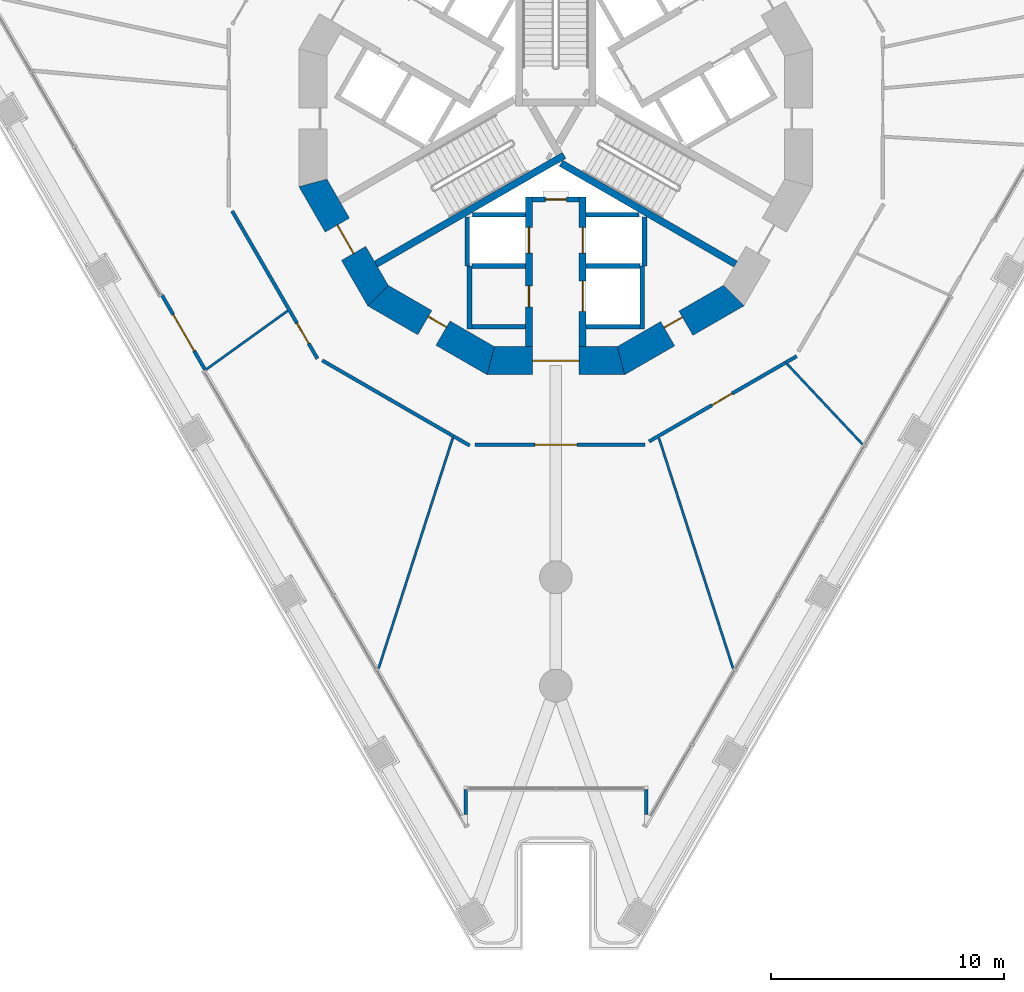
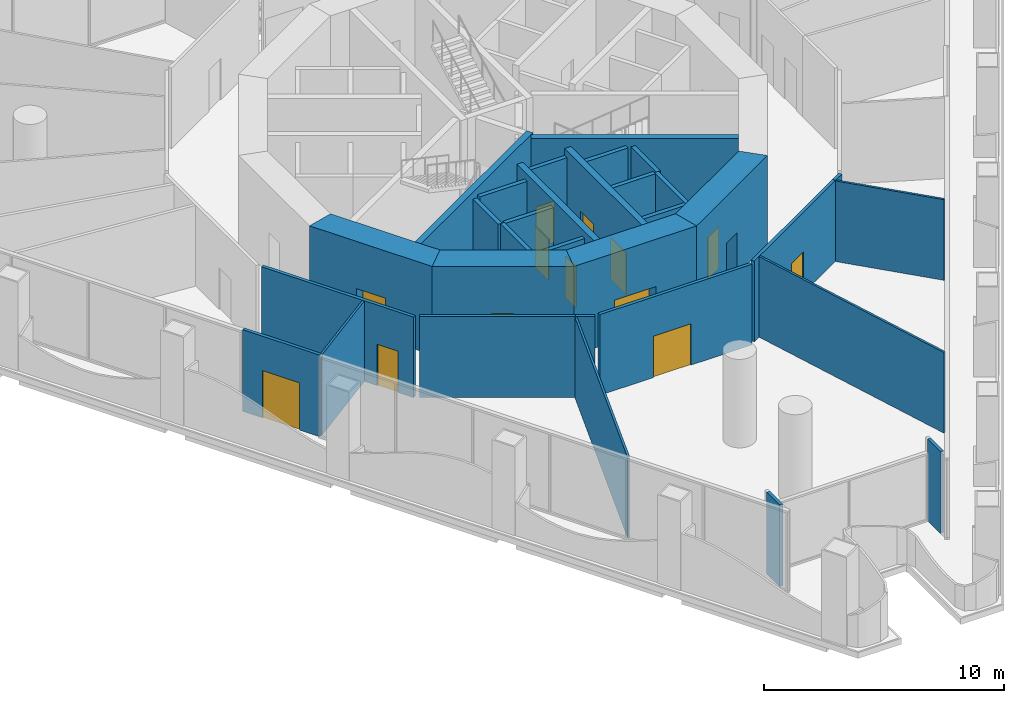
# One storey, part 10 of 21: 32 walls, 13 doors, 13 openings.
"""IFC4 building model written with IfcOpenShell, lengths in metres."""

from ifc_helpers import new_model, si_unit, direction, frame, frame_2d, origin, place, context, subcontext, project, spatial, polyline, rectangle, outline, extrude, material, layer, layer_set, type_object, element, fill, save


model = new_model("IFC4")

# Units and contexts
model_context = context("Model", 3, precision=1e-05, world=origin(), true_north=direction((0.0, 1.0)))
body_context = subcontext(model_context, "Body", "Model", "MODEL_VIEW")
ifc_project = project(units=[si_unit("LENGTHUNIT", "METRE"), si_unit("AREAUNIT", "SQUARE_METRE"), si_unit("VOLUMEUNIT", "CUBIC_METRE"), si_unit("PLANEANGLEUNIT", "RADIAN"), si_unit("MASSUNIT", "GRAM", prefix="KILO")], contexts=[model_context])

# Site, building, storey
site_placement = place(None, origin())
site = spatial("IfcSite", under=ifc_project, at=site_placement, CompositionType="ELEMENT")
building_placement = place(site_placement, origin())
building = spatial("IfcBuilding", under=site, at=building_placement, Name="Trine Commons Tower", CompositionType="ELEMENT")
storey_placement = place(building_placement, frame((0.0, 0.0, 13.5)))
storey = spatial("IfcBuildingStorey", under=building, at=storey_placement, Name="L02", CompositionType="ELEMENT", Elevation=13.5)

# Wall, opening, door
ifc_material_1 = material(Name="Plasterboard on steel stud", Category="steel")
ifc_layer_1 = layer(ifc_material_1, 0.14990234375)
ifc_layer_set_1 = layer_set([ifc_layer_1], Name="Plasterboard on steel stud")
wall_type_1 = type_object("IfcWallType", Name="Compartment wall 150 mm, EI 60", PredefinedType="PARTITIONING", material=ifc_layer_set_1)
wall_1_placement = place(storey_placement, frame((69.7802734375, 52.177978515625, 0.0), z_axis=(0.0, 0.0, 1.0), x_axis=(-0.500000231294, 0.866025270247, 0.0)))
wall_1 = element("IfcWall", 1, at=wall_1_placement, inside=storey, type_object=wall_type_1, Name="Partition P2008", PredefinedType="PARTITIONING", context=body_context, shape_type="SweptSolid", body=[
    extrude(rectangle(XDim=7.3037109375, YDim=0.14990234375, at=frame_2d((3.65185546875, 0.0))), origin(), (0.0, 0.0, 1.0), 4.10009765625),
])
opening_1_placement = place(wall_1_placement, frame((0.74755859375, 0.0, 0.0)))
opening_1 = element("IfcOpeningElement", 2, at=opening_1_placement, cuts=wall_1, Name="Opening D-P203", PredefinedType="OPENING", context=body_context, shape_type="SweptSolid", body=[
    extrude(rectangle(XDim=1.0, YDim=2.10009765625, at=frame_2d((0.5, 1.050048828125))), frame((0.0, 0.0849609375, 0.0), z_axis=(0.0, -1.0, 0.0), x_axis=(1.0, 0.0, 0.0)), (0.0, 0.0, 1.0), 0.169921875),
])
ifc_material_2 = material(Name="Timber fire door set", Category="wood")
door_type_1 = type_object("IfcDoorType", Name="Single swing door 1000x2100, FD30S", OperationType="SINGLE_SWING_LEFT", PredefinedType="DOOR", material=ifc_material_2)
door_1_placement = place(opening_1_placement, origin())
door_1 = element("IfcDoor", 3, at=door_1_placement, inside=storey, type_object=door_type_1, Name="Door D-P203", OperationType="SINGLE_SWING_LEFT", OverallHeight=2.10009765625, OverallWidth=1.0, PredefinedType="DOOR", context=body_context, shape_type="SweptSolid", body=[
    extrude(rectangle(XDim=1.0, YDim=2.10009765625, at=frame_2d((0.5, 1.050048828125))), frame((0.0, 0.02490234375, 0.0), z_axis=(0.0, -1.0, 0.0), x_axis=(1.0, 0.0, 0.0)), (0.0, 0.0, 1.0), 0.050048828125),
])
fill(opening_1, door_1)

# Walls
wall_2_placement = place(storey_placement, frame((69.9853515625, 52.102783203125, 0.0), z_axis=(0.0, 0.0, 1.0), x_axis=(0.866017774148, -0.500013214685, 0.0)))
element("IfcWall", 4, at=wall_2_placement, inside=storey, type_object=wall_type_1, Name="Partition P2010", PredefinedType="PARTITIONING", context=body_context, shape_type="SweptSolid", body=[
    extrude(rectangle(XDim=6.492919921875, YDim=0.14990234375, at=frame_2d((3.24658203125, 0.0))), origin(), (0.0, 0.0, 1.0), 4.10009765625),
])
wall_3_placement = place(storey_placement, frame((75.612548828125, 48.85400390625, 0.0), z_axis=(0.0, 0.0, 1.0), x_axis=(0.865978762919, -0.500080775649, 0.0)))
element("IfcWall", 5, at=wall_3_placement, inside=storey, type_object=wall_type_1, Name="Partition P2014", PredefinedType="PARTITIONING", context=body_context, shape_type="SweptSolid", body=[
    extrude(rectangle(XDim=0.805908203125, YDim=0.14990234375, at=frame_2d((0.40283203125, 0.0))), origin(), (0.0, 0.0, 1.0), 4.10009765625),
])

# Wall, opening, door
wall_4_placement = place(storey_placement, frame((76.525634765625, 48.488525390625, 0.0), z_axis=(0.0, 0.0, 1.0), x_axis=(1.0, 0.0, 0.0)))
wall_4 = element("IfcWall", 6, at=wall_4_placement, inside=storey, type_object=wall_type_1, Name="Partition P2015", PredefinedType="PARTITIONING", context=body_context, shape_type="SweptSolid", body=[
    extrude(rectangle(XDim=7.3037109375, YDim=0.14990234375, at=frame_2d((3.65185546875, 0.0))), origin(), (0.0, 0.0, 1.0), 4.10009765625),
])
opening_2_placement = place(wall_4_placement, frame((2.574462890625, 0.0, 0.0)))
opening_2 = element("IfcOpeningElement", 7, at=opening_2_placement, cuts=wall_4, Name="Opening D-P208", PredefinedType="OPENING", context=body_context, shape_type="SweptSolid", body=[
    extrude(rectangle(XDim=1.800048828125, YDim=2.10009765625, at=frame_2d((0.89990234375, 1.050048828125))), frame((0.0, 0.0849609375, 0.0), z_axis=(0.0, -1.0, 0.0), x_axis=(1.0, 0.0, 0.0)), (0.0, 0.0, 1.0), 0.169921875),
])
door_type_2 = type_object("IfcDoorType", Name="Double swing door 1800x2100, FD30S", OperationType="DOUBLE_DOOR_DOUBLE_SWING", PredefinedType="DOOR", material=ifc_material_2)
door_2_placement = place(opening_2_placement, origin())
door_2 = element("IfcDoor", 8, at=door_2_placement, inside=storey, type_object=door_type_2, Name="Door D-P208", OperationType="DOUBLE_DOOR_DOUBLE_SWING", OverallHeight=2.10009765625, OverallWidth=1.800048828125, PredefinedType="DOOR", context=body_context, shape_type="SweptSolid", body=[
    extrude(rectangle(XDim=1.800048828125, YDim=2.10009765625, at=frame_2d((0.89990234375, 1.050048828125))), frame((0.0, 0.02490234375, 0.0), z_axis=(0.0, -1.0, 0.0), x_axis=(1.0, 0.0, 0.0)), (0.0, 0.0, 1.0), 0.050048828125),
])
fill(opening_2, door_2)

wall_5_placement = place(storey_placement, frame((89.853759765625, 52.009765625, 0.0), z_axis=(0.0, 0.0, 1.0), x_axis=(-0.866035297817, -0.499982862641, 0.0)))
wall_5 = element("IfcWall", 9, at=wall_5_placement, inside=storey, type_object=wall_type_1, Name="Partition P2019", PredefinedType="PARTITIONING", context=body_context, shape_type="SweptSolid", body=[
    extrude(rectangle(XDim=6.762939453125, YDim=0.14990234375, at=frame_2d((3.38134765625, 0.0))), origin(), (0.0, 0.0, 1.0), 4.10009765625),
])
opening_3_placement = place(wall_5_placement, frame((2.653564453125, 0.0, 0.0)))
opening_3 = element("IfcOpeningElement", 10, at=opening_3_placement, cuts=wall_5, Name="Opening D-P211", PredefinedType="OPENING", context=body_context, shape_type="SweptSolid", body=[
    extrude(rectangle(XDim=1.0, YDim=2.10009765625, at=frame_2d((0.5, 1.050048828125))), frame((0.0, 0.0849609375, 0.0), z_axis=(0.0, -1.0, 0.0), x_axis=(1.0, 0.0, 0.0)), (0.0, 0.0, 1.0), 0.169921875),
])
door_3_placement = place(opening_3_placement, origin())
door_3 = element("IfcDoor", 11, at=door_3_placement, inside=storey, type_object=door_type_1, Name="Door D-P211", OperationType="SINGLE_SWING_LEFT", OverallHeight=2.10009765625, OverallWidth=1.0, PredefinedType="DOOR", context=body_context, shape_type="SweptSolid", body=[
    extrude(rectangle(XDim=1.0, YDim=2.10009765625, at=frame_2d((0.5, 1.050048828125))), frame((0.0, 0.02490234375, 0.0), z_axis=(0.0, -1.0, 0.0), x_axis=(1.0, 0.0, 0.0)), (0.0, 0.0, 1.0), 0.050048828125),
])
fill(opening_3, door_3)

# Wall
wall_6_placement = place(storey_placement, frame((89.857666015625, 52.01220703125, 0.0), z_axis=(0.0, 0.0, 1.0), x_axis=(0.866049104564, 0.499958946799, 0.0)))
element("IfcWall", 12, at=wall_6_placement, inside=storey, type_object=wall_type_1, Name="Partition P2023", PredefinedType="PARTITIONING", context=body_context, shape_type="SweptSolid", body=[
    extrude(rectangle(XDim=0.5361328125, YDim=0.14990234375, at=frame_2d((0.26806640625, 0.0))), origin(), (0.0, 0.0, 1.0), 4.10009765625),
])

# Wall, opening, door
ifc_material_3 = material(Name="Aluminium-framed insulated wall panel", Category="aluminium")
ifc_layer_2 = layer(ifc_material_3, 0.14990234375)
ifc_layer_set_2 = layer_set([ifc_layer_2], Name="Aluminium-framed insulated wall panel")
wall_type_2 = type_object("IfcWallType", Name="Glazed entrance wall 150, EI 60", PredefinedType="SOLIDWALL", material=ifc_layer_set_2)
wall_7_placement = place(storey_placement, frame((64.972900390625, 51.688232421875, 0.0), z_axis=(0.0, 0.0, 1.0), x_axis=(-0.499979560991, 0.86603720393, 0.0)))
wall_7 = element("IfcWall", 13, at=wall_7_placement, inside=storey, type_object=wall_type_2, Name="Glazed entrance wall L02 F3 7", PredefinedType="SOLIDWALL", context=body_context, shape_type="SweptSolid", body=[
    extrude(rectangle(XDim=3.698974609375, YDim=0.14990234375, at=frame_2d((1.849609375, 0.0))), origin(), (0.0, 0.0, 1.0), 4.14990234375),
])
opening_4_placement = place(wall_7_placement, frame((0.949462890625, 0.0, 0.0)))
opening_4 = element("IfcOpeningElement", 14, at=opening_4_placement, cuts=wall_7, Name="Opening SD-L02-F3-07", PredefinedType="OPENING", context=body_context, shape_type="SweptSolid", body=[
    extrude(rectangle(XDim=1.800048828125, YDim=2.39990234375, at=frame_2d((0.89990234375, 1.199951171875))), frame((0.0, 0.0849609375, 0.0), z_axis=(0.0, -1.0, 0.0), x_axis=(1.0, 0.0, 0.0)), (0.0, 0.0, 1.0), 0.169921875),
])
ifc_material_4 = material(Name="Anodised aluminium frame with double glazing", Category="aluminium")
door_type_3 = type_object("IfcDoorType", Name="Sliding double door 1800x2400", OperationType="DOUBLE_DOOR_SLIDING", PredefinedType="DOOR", material=ifc_material_4)
door_4_placement = place(opening_4_placement, origin())
door_4 = element("IfcDoor", 15, at=door_4_placement, inside=storey, type_object=door_type_3, Name="Loggia door L02 F3 7", OperationType="DOUBLE_DOOR_SLIDING", OverallHeight=2.39990234375, OverallWidth=1.800048828125, PredefinedType="DOOR", context=body_context, shape_type="SweptSolid", body=[
    extrude(rectangle(XDim=1.800048828125, YDim=2.39990234375, at=frame_2d((0.89990234375, 1.199951171875))), frame((0.0, 0.02490234375, 0.0), z_axis=(0.0, -1.0, 0.0), x_axis=(1.0, 0.0, 0.0)), (0.0, 0.0, 1.0), 0.050048828125),
])
fill(opening_4, door_4)

# Walls
ifc_layer_3 = layer(ifc_material_3, 0.14990234375)
ifc_layer_set_3 = layer_set([ifc_layer_3], Name="Aluminium-framed insulated wall panel")
wall_type_3 = type_object("IfcWallType", Name="Glazed frame wall 150, EI 60", PredefinedType="SOLIDWALL", material=ifc_layer_set_3)
wall_8_placement = place(storey_placement, frame((83.864990234375, 32.48583984375, 0.0), z_axis=(0.0, 0.0, 1.0), x_axis=(0.0, 1.0, 0.0)))
element("IfcWall", 16, at=wall_8_placement, inside=storey, type_object=wall_type_3, Name="Glazed frame wall L02 R9", PredefinedType="SOLIDWALL", context=body_context, shape_type="SweptSolid", body=[
    extrude(outline(polyline([(0.1494140625, 0.074951171875), (0.1494140625, -0.074951171875), (1.235107421875, -0.074951171875), (1.235107421875, 0.074951171875), (0.1494140625, 0.074951171875)])), origin(), (0.0, 0.0, 1.0), 4.14990234375),
])
wall_9_placement = place(storey_placement, frame((76.135009765625, 33.830810546875, 0.0), z_axis=(0.0, 0.0, 1.0), x_axis=(0.0, -1.0, 0.0)))
element("IfcWall", 17, at=wall_9_placement, inside=storey, type_object=wall_type_3, Name="Glazed frame wall L02 R11", PredefinedType="SOLIDWALL", context=body_context, shape_type="SweptSolid", body=[
    extrude(outline(polyline([(0.110107421875, 0.074951171875), (0.110107421875, -0.074951171875), (1.19580078125, -0.074951171875), (1.19580078125, 0.074951171875), (0.110107421875, 0.074951171875)])), origin(), (0.0, 0.0, 1.0), 4.14990234375),
])

# Wall, opening, door
ifc_material_5 = material(Name="Fire-rated gypsum shaft wall system")
ifc_layer_4 = layer(ifc_material_5, 0.199951171875)
ifc_layer_set_4 = layer_set([ifc_layer_4], Name="Fire-rated gypsum shaft wall system")
wall_type_4 = type_object("IfcWallType", Name="Lobby end wall 200 mm, EI 120", PredefinedType="PARTITIONING", material=ifc_layer_set_4)
wall_10_placement = place(storey_placement, frame((79.0, 59.0, 0.0), z_axis=(0.0, 0.0, 1.0), x_axis=(1.0, 0.0, 0.0)))
wall_10 = element("IfcWall", 18, at=wall_10_placement, inside=storey, type_object=wall_type_4, Name="Lobby end wall L02", PredefinedType="PARTITIONING", context=body_context, shape_type="SweptSolid", body=[
    extrude(rectangle(XDim=2.0, YDim=0.199951171875, at=frame_2d((1.0, 0.0))), origin(), (0.0, 0.0, 1.0), 4.14990234375),
])
opening_5_placement = place(wall_10_placement, frame((0.550048828125, 0.0, 0.0)))
opening_5 = element("IfcOpeningElement", 19, at=opening_5_placement, cuts=wall_10, Name="Opening K05.09", PredefinedType="OPENING", context=body_context, shape_type="SweptSolid", body=[
    extrude(rectangle(XDim=0.89990234375, YDim=2.10009765625, at=frame_2d((0.449951171875, 1.050048828125))), frame((0.0, 0.10986328125, 0.0), z_axis=(0.0, -1.0, 0.0), x_axis=(1.0, 0.0, 0.0)), (0.0, 0.0, 1.0), 0.219970703125),
])
ifc_material_6 = material(Name="Steel door leaf, fire-rated", Category="steel")
door_type_4 = type_object("IfcDoorType", Name="Riser access door, single leaf 900 x 2100, FD60", OperationType="SINGLE_SWING_LEFT", PredefinedType="DOOR", material=ifc_material_6)
door_5_placement = place(opening_5_placement, frame((0.89990234375, 0.0, 0.0), z_axis=(0.0, 0.0, 1.0), x_axis=(-1.0, 0.0, 0.0)))
door_5 = element("IfcDoor", 20, at=door_5_placement, inside=storey, type_object=door_type_4, Name="Riser door, Communications riser L02", OperationType="SINGLE_SWING_RIGHT", OverallHeight=2.10009765625, OverallWidth=0.89990234375, PredefinedType="DOOR", context=body_context, shape_type="SweptSolid", body=[
    extrude(rectangle(XDim=0.89990234375, YDim=2.10009765625, at=frame_2d((0.449951171875, 1.050048828125))), frame((0.0, 0.02490234375, 0.0), z_axis=(0.0, -1.0, 0.0), x_axis=(1.0, 0.0, 0.0)), (0.0, 0.0, 1.0), 0.050048828125),
])
fill(opening_5, door_5)

# Walls
ifc_layer_5 = layer(ifc_material_1, 0.10009765625)
ifc_layer_set_5 = layer_set([ifc_layer_5], Name="Plasterboard on steel stud")
wall_type_5 = type_object("IfcWallType", Name="Partition wall 100 mm stud, not rated", PredefinedType="PARTITIONING", material=ifc_layer_set_5)
wall_11_placement = place(storey_placement, frame((65.00341796875, 51.705810546875, 0.0), z_axis=(0.0, 0.0, 1.0), x_axis=(0.81161375716, 0.584194410439, 0.0)))
element("IfcWall", 21, at=wall_11_placement, inside=storey, type_object=wall_type_5, Name="Partition P2006", PredefinedType="PARTITIONING", context=body_context, shape_type="SweptSolid", body=[
    extrude(rectangle(XDim=4.314453125, YDim=0.10009765625, at=frame_2d((2.1572265625, 0.0))), origin(), (0.0, 0.0, 1.0), 4.10009765625),
])
wall_12_placement = place(storey_placement, frame((72.401123046875, 38.892578125, 0.0), z_axis=(0.0, 0.0, 1.0), x_axis=(0.306402777515, 0.951901958151, 0.0)))
element("IfcWall", 22, at=wall_12_placement, inside=storey, type_object=wall_type_5, Name="Partition P2012", PredefinedType="PARTITIONING", context=body_context, shape_type="SweptSolid", body=[
    extrude(rectangle(XDim=10.3798828125, YDim=0.10009765625, at=frame_2d((5.18994140625, 0.0))), origin(), (0.0, 0.0, 1.0), 4.10009765625),
])
wall_13_placement = place(storey_placement, frame((84.418701171875, 48.773193359375, 0.0), z_axis=(0.0, 0.0, 1.0), x_axis=(0.306409637805, -0.9518997499, 0.0)))
element("IfcWall", 23, at=wall_13_placement, inside=storey, type_object=wall_type_5, Name="Partition P2021", PredefinedType="PARTITIONING", context=body_context, shape_type="SweptSolid", body=[
    extrude(rectangle(XDim=10.379638671875, YDim=0.10009765625, at=frame_2d((5.18994140625, 0.0))), origin(), (0.0, 0.0, 1.0), 4.10009765625),
])
wall_14_placement = place(storey_placement, frame((89.914306640625, 51.945068359375, 0.0), z_axis=(0.0, 0.0, 1.0), x_axis=(0.684633850131, -0.72888715948, 0.0)))
element("IfcWall", 24, at=wall_14_placement, inside=storey, type_object=wall_type_5, Name="Partition P2024", PredefinedType="PARTITIONING", context=body_context, shape_type="SweptSolid", body=[
    extrude(rectangle(XDim=4.722412109375, YDim=0.10009765625, at=frame_2d((2.361328125, 0.0))), origin(), (0.0, 0.0, 1.0), 4.10009765625),
])

# Wall, opening, door
ifc_material_7 = material(Name="Concrete C80/95", Category="concrete")
ifc_layer_6 = layer(ifc_material_7, 1.199951171875)
ifc_layer_set_6 = layer_set([ifc_layer_6], Name="Concrete C80/95")
wall_type_6 = type_object("IfcWallType", Name="RC shear wall 1200 mm, C80/95", PredefinedType="SHEAR", material=ifc_layer_set_6)
wall_15_placement = place(storey_placement, frame((69.508056640625, 59.849609375, 0.0), z_axis=(0.0, 0.0, 1.0), x_axis=(0.499979111662, -0.866037463336, 0.0)))
wall_15 = element("IfcWall", 25, at=wall_15_placement, inside=storey, type_object=wall_type_6, Name="Core wall CWA-08 L02", PredefinedType="SHEAR", context=body_context, shape_type="SweptSolid", body=[
    extrude(outline(polyline([(0.0, -0.60009765625), (5.901123046875, -0.60009765625), (5.57958984375, 0.60009765625), (0.321533203125, 0.60009765625), (0.0, -0.60009765625)])), origin(), (0.0, 0.0, 1.0), 4.5),
])
opening_6_placement = place(wall_15_placement, frame((2.25048828125, 0.0, 0.0)))
opening_6 = element("IfcOpeningElement", 26, at=opening_6_placement, cuts=wall_15, Name="Opening K05.02", PredefinedType="OPENING", context=body_context, shape_type="SweptSolid", body=[
    extrude(rectangle(XDim=1.39990234375, YDim=2.10009765625, at=frame_2d((0.699951171875, 1.050048828125))), frame((0.0, 0.60986328125, 0.0), z_axis=(0.0, -1.0, 0.0), x_axis=(1.0, 0.0, 0.0)), (0.0, 0.0, 1.0), 1.219970703125),
])
ifc_material_8 = material(Name="Steel door leaves, fire-rated", Category="steel")
door_type_5 = type_object("IfcDoorType", Name="Stair door, double leaf 1400 x 2100, FD90", OperationType="DOUBLE_DOOR_SINGLE_SWING", PredefinedType="DOOR", material=ifc_material_8)
door_6_placement = place(opening_6_placement, origin())
door_6 = element("IfcDoor", 27, at=door_6_placement, inside=storey, type_object=door_type_5, Name="Stair door to Exit stair ST2A L02", OperationType="DOUBLE_DOOR_SINGLE_SWING", OverallHeight=2.10009765625, OverallWidth=1.39990234375, PredefinedType="DOOR", context=body_context, shape_type="SweptSolid", body=[
    extrude(rectangle(XDim=1.39990234375, YDim=2.10009765625, at=frame_2d((0.699951171875, 1.050048828125))), frame((0.0, 0.02490234375, 0.0), z_axis=(0.0, -1.0, 0.0), x_axis=(1.0, 0.0, 0.0)), (0.0, 0.0, 1.0), 0.050048828125),
])
fill(opening_6, door_6)

wall_16_placement = place(storey_placement, frame((72.239013671875, 54.95849609375, 0.0), z_axis=(0.0, 0.0, 1.0), x_axis=(0.866037463336, -0.499979111662, 0.0)))
wall_16 = element("IfcWall", 28, at=wall_16_placement, inside=storey, type_object=wall_type_6, Name="Core wall CWA-09 L02", PredefinedType="SHEAR", context=body_context, shape_type="SweptSolid", body=[
    extrude(outline(polyline([(0.0, -0.60009765625), (5.901123046875, -0.60009765625), (5.57958984375, 0.60009765625), (0.321533203125, 0.60009765625), (0.0, -0.60009765625)])), origin(), (0.0, 0.0, 1.0), 4.5),
])
opening_7_placement = place(wall_16_placement, frame((2.4765625, 0.0, 0.0)))
opening_7 = element("IfcOpeningElement", 29, at=opening_7_placement, cuts=wall_16, Name="Opening K05.14", PredefinedType="OPENING", context=body_context, shape_type="SweptSolid", body=[
    extrude(rectangle(XDim=0.89990234375, YDim=2.10009765625, at=frame_2d((0.449951171875, 1.050048828125))), frame((0.0, 0.60986328125, 0.0), z_axis=(0.0, -1.0, 0.0), x_axis=(1.0, 0.0, 0.0)), (0.0, 0.0, 1.0), 1.219970703125),
])
door_type_6 = type_object("IfcDoorType", Name="Core room door, single leaf 900 x 2100, FD30S", OperationType="SINGLE_SWING_LEFT", PredefinedType="DOOR", material=ifc_material_6)
door_7_placement = place(opening_7_placement, origin())
door_7 = element("IfcDoor", 30, at=door_7_placement, inside=storey, type_object=door_type_6, Name="Door to Parcel store L02", OperationType="SINGLE_SWING_LEFT", OverallHeight=2.10009765625, OverallWidth=0.89990234375, PredefinedType="DOOR", context=body_context, shape_type="SweptSolid", body=[
    extrude(rectangle(XDim=0.89990234375, YDim=2.10009765625, at=frame_2d((0.449951171875, 1.050048828125))), frame((0.0, 0.3251953125, 0.0), z_axis=(0.0, -1.0, 0.0), x_axis=(1.0, 0.0, 0.0)), (0.0, 0.0, 1.0), 0.050048828125),
])
fill(opening_7, door_7)

wall_17_placement = place(storey_placement, frame((77.049560546875, 52.08837890625, 0.0), z_axis=(0.0, 0.0, 1.0), x_axis=(1.0, 0.0, 0.0)))
wall_17 = element("IfcWall", 31, at=wall_17_placement, inside=storey, type_object=wall_type_6, Name="Core wall CWA-10 L02", PredefinedType="SHEAR", context=body_context, shape_type="SweptSolid", body=[
    extrude(outline(polyline([(0.0, -0.60009765625), (5.90087890625, -0.60009765625), (5.57958984375, 0.60009765625), (0.321533203125, 0.60009765625), (0.0, -0.60009765625)])), origin(), (0.0, 0.0, 1.0), 4.5),
])
opening_8_placement = place(wall_17_placement, frame((1.950439453125, 0.0, 0.0)))
opening_8 = element("IfcOpeningElement", 32, at=opening_8_placement, cuts=wall_17, Name="Opening K05.08", PredefinedType="OPENING", context=body_context, shape_type="SweptSolid", body=[
    extrude(rectangle(XDim=2.0, YDim=2.10009765625, at=frame_2d((1.0, 1.050048828125))), frame((0.0, 0.60986328125, 0.0), z_axis=(0.0, -1.0, 0.0), x_axis=(1.0, 0.0, 0.0)), (0.0, 0.0, 1.0), 1.219970703125),
])
door_type_7 = type_object("IfcDoorType", Name="Lobby door, double leaf 2000 x 2100, FD60", OperationType="DOUBLE_DOOR_SINGLE_SWING", PredefinedType="DOOR", material=ifc_material_8)
door_8_placement = place(opening_8_placement, origin())
door_8 = element("IfcDoor", 33, at=door_8_placement, inside=storey, type_object=door_type_7, Name="Lobby door, Service and firefighting lobby L02", OperationType="DOUBLE_DOOR_SINGLE_SWING", OverallHeight=2.10009765625, OverallWidth=2.0, PredefinedType="DOOR", context=body_context, shape_type="SweptSolid", body=[
    extrude(rectangle(XDim=2.0, YDim=2.10009765625, at=frame_2d((1.0, 1.050048828125))), frame((0.0, 0.02490234375, 0.0), z_axis=(0.0, -1.0, 0.0), x_axis=(1.0, 0.0, 0.0)), (0.0, 0.0, 1.0), 0.050048828125),
])
fill(opening_8, door_8)

wall_18_placement = place(storey_placement, frame((82.650390625, 52.008056640625, 0.0), z_axis=(0.0, 0.0, 1.0), x_axis=(0.866037463336, 0.499979111662, 0.0)))
wall_18 = element("IfcWall", 34, at=wall_18_placement, inside=storey, type_object=wall_type_6, Name="Core wall CWA-11 L02", PredefinedType="SHEAR", context=body_context, shape_type="SweptSolid", body=[
    extrude(outline(polyline([(0.0, -0.60009765625), (5.901123046875, -0.60009765625), (5.57958984375, 0.60009765625), (0.321533203125, 0.60009765625), (0.0, -0.60009765625)])), origin(), (0.0, 0.0, 1.0), 4.5),
])
opening_9_placement = place(wall_18_placement, frame((2.474853515625, 0.0, 0.0)))
opening_9 = element("IfcOpeningElement", 35, at=opening_9_placement, cuts=wall_18, Name="Opening K05.15", PredefinedType="OPENING", context=body_context, shape_type="SweptSolid", body=[
    extrude(rectangle(XDim=0.89990234375, YDim=2.10009765625, at=frame_2d((0.449951171875, 1.050048828125))), frame((0.0, 0.60986328125, 0.0), z_axis=(0.0, -1.0, 0.0), x_axis=(1.0, 0.0, 0.0)), (0.0, 0.0, 1.0), 1.219970703125),
])
door_9_placement = place(opening_9_placement, origin())
door_9 = element("IfcDoor", 36, at=door_9_placement, inside=storey, type_object=door_type_6, Name="Door to Core WC L02", OperationType="SINGLE_SWING_LEFT", OverallHeight=2.10009765625, OverallWidth=0.89990234375, PredefinedType="DOOR", context=body_context, shape_type="SweptSolid", body=[
    extrude(rectangle(XDim=0.89990234375, YDim=2.10009765625, at=frame_2d((0.449951171875, 1.050048828125))), frame((0.0, 0.3251953125, 0.0), z_axis=(0.0, -1.0, 0.0), x_axis=(1.0, 0.0, 0.0)), (0.0, 0.0, 1.0), 0.050048828125),
])
fill(opening_9, door_9)

# Wall, openings, doors
ifc_layer_7 = layer(ifc_material_7, 0.300048828125)
ifc_layer_set_7 = layer_set([ifc_layer_7], Name="Concrete C80/95")
wall_type_7 = type_object("IfcWallType", Name="RC shear wall 300 mm, C80/95", PredefinedType="SHEAR", material=ifc_layer_set_7)
wall_19_placement = place(storey_placement, frame((78.85009765625, 59.10009765625, 0.0), z_axis=(0.0, 0.0, 1.0), x_axis=(0.0, -1.0, 0.0)))
wall_19 = element("IfcWall", 37, at=wall_19_placement, inside=storey, type_object=wall_type_7, Name="Core cross wall SWA-03 L02", PredefinedType="SHEAR", context=body_context, shape_type="SweptSolid", body=[
    extrude(rectangle(XDim=6.412109375, YDim=0.300048828125, at=frame_2d((3.2060546875, 0.0))), origin(), (0.0, 0.0, 1.0), 4.5),
])
opening_10_placement = place(wall_19_placement, frame((3.800048828125, 0.0, 0.0)))
opening_10 = element("IfcOpeningElement", 38, at=opening_10_placement, cuts=wall_19, Name="Opening K05.10", PredefinedType="OPENING", context=body_context, shape_type="SweptSolid", body=[
    extrude(rectangle(XDim=0.89990234375, YDim=2.10009765625, at=frame_2d((0.449951171875, 1.050048828125))), frame((0.0, 0.159912109375, 0.0), z_axis=(0.0, -1.0, 0.0), x_axis=(1.0, 0.0, 0.0)), (0.0, 0.0, 1.0), 0.320068359375),
])
opening_11_placement = place(wall_19_placement, frame((1.300048828125, 0.0, 0.0)))
opening_11 = element("IfcOpeningElement", 39, at=opening_11_placement, cuts=wall_19, Name="Opening LD10", PredefinedType="OPENING", context=body_context, shape_type="SweptSolid", body=[
    extrude(rectangle(XDim=1.10009765625, YDim=2.10009765625, at=frame_2d((0.550048828125, 1.050048828125))), frame((0.0, 0.159912109375, 0.0), z_axis=(0.0, -1.0, 0.0), x_axis=(1.0, 0.0, 0.0)), (0.0, 0.0, 1.0), 0.320068359375),
])
door_10_placement = place(opening_10_placement, frame((0.89990234375, 0.0, 0.0), z_axis=(0.0, 0.0, 1.0), x_axis=(-1.0, 0.0, 0.0)))
door_10 = element("IfcDoor", 40, at=door_10_placement, inside=storey, type_object=door_type_6, Name="Door to Comms room L02", OperationType="SINGLE_SWING_RIGHT", OverallHeight=2.10009765625, OverallWidth=0.89990234375, PredefinedType="DOOR", context=body_context, shape_type="SweptSolid", body=[
    extrude(rectangle(XDim=0.89990234375, YDim=2.10009765625, at=frame_2d((0.449951171875, 1.050048828125))), frame((0.0, 0.02490234375, 0.0), z_axis=(0.0, -1.0, 0.0), x_axis=(1.0, 0.0, 0.0)), (0.0, 0.0, 1.0), 0.050048828125),
])
fill(opening_10, door_10)
ifc_material_9 = material(Name="Stainless steel sliding door leaves", Category="steel")
door_type_8 = type_object("IfcDoorType", Name="Lift landing door, centre-opening sliding 1100 x 2100, FD90", OperationType="DOUBLE_DOOR_SLIDING", PredefinedType="DOOR", material=ifc_material_9)
door_11_placement = place(opening_11_placement, origin())
door_11 = element("IfcDoor", 41, at=door_11_placement, inside=storey, type_object=door_type_8, Name="Lift landing door FF2 L02", OperationType="DOUBLE_DOOR_SLIDING", OverallHeight=2.10009765625, OverallWidth=1.10009765625, PredefinedType="DOOR", context=body_context, shape_type="SweptSolid", body=[
    extrude(rectangle(XDim=1.10009765625, YDim=2.10009765625, at=frame_2d((0.550048828125, 1.050048828125))), frame((0.0, 0.02490234375, 0.0), z_axis=(0.0, -1.0, 0.0), x_axis=(1.0, 0.0, 0.0)), (0.0, 0.0, 1.0), 0.050048828125),
])
fill(opening_11, door_11)

wall_20_placement = place(storey_placement, frame((81.14990234375, 59.10009765625, 0.0), z_axis=(0.0, 0.0, 1.0), x_axis=(0.0, -1.0, 0.0)))
wall_20 = element("IfcWall", 42, at=wall_20_placement, inside=storey, type_object=wall_type_7, Name="Core cross wall SWA-04 L02", PredefinedType="SHEAR", context=body_context, shape_type="SweptSolid", body=[
    extrude(rectangle(XDim=6.412109375, YDim=0.300048828125, at=frame_2d((3.2060546875, 0.0))), origin(), (0.0, 0.0, 1.0), 4.5),
])
opening_12_placement = place(wall_20_placement, frame((3.60009765625, 0.0, 0.0)))
opening_12 = element("IfcOpeningElement", 43, at=opening_12_placement, cuts=wall_20, Name="Opening LD11", PredefinedType="OPENING", context=body_context, shape_type="SweptSolid", body=[
    extrude(rectangle(XDim=1.300048828125, YDim=2.10009765625, at=frame_2d((0.64990234375, 1.050048828125))), frame((0.0, 0.159912109375, 0.0), z_axis=(0.0, -1.0, 0.0), x_axis=(1.0, 0.0, 0.0)), (0.0, 0.0, 1.0), 0.320068359375),
])
opening_13_placement = place(wall_20_placement, frame((1.300048828125, 0.0, 0.0)))
opening_13 = element("IfcOpeningElement", 44, at=opening_13_placement, cuts=wall_20, Name="Opening LD9", PredefinedType="OPENING", context=body_context, shape_type="SweptSolid", body=[
    extrude(rectangle(XDim=1.10009765625, YDim=2.10009765625, at=frame_2d((0.550048828125, 1.050048828125))), frame((0.0, 0.159912109375, 0.0), z_axis=(0.0, -1.0, 0.0), x_axis=(1.0, 0.0, 0.0)), (0.0, 0.0, 1.0), 0.320068359375),
])
door_12_placement = place(opening_13_placement, origin())
door_12 = element("IfcDoor", 45, at=door_12_placement, inside=storey, type_object=door_type_8, Name="Lift landing door FF1 L02", OperationType="DOUBLE_DOOR_SLIDING", OverallHeight=2.10009765625, OverallWidth=1.10009765625, PredefinedType="DOOR", context=body_context, shape_type="SweptSolid", body=[
    extrude(rectangle(XDim=1.10009765625, YDim=2.10009765625, at=frame_2d((0.550048828125, 1.050048828125))), frame((0.0, 0.02490234375, 0.0), z_axis=(0.0, -1.0, 0.0), x_axis=(1.0, 0.0, 0.0)), (0.0, 0.0, 1.0), 0.050048828125),
])
fill(opening_13, door_12)
door_type_9 = type_object("IfcDoorType", Name="Lift landing door, centre-opening sliding 1300 x 2100, FD90", OperationType="DOUBLE_DOOR_SLIDING", PredefinedType="DOOR", material=ifc_material_9)
door_13_placement = place(opening_12_placement, origin())
door_13 = element("IfcDoor", 46, at=door_13_placement, inside=storey, type_object=door_type_9, Name="Lift landing door G1 L02", OperationType="DOUBLE_DOOR_SLIDING", OverallHeight=2.10009765625, OverallWidth=1.300048828125, PredefinedType="DOOR", context=body_context, shape_type="SweptSolid", body=[
    extrude(rectangle(XDim=1.300048828125, YDim=2.10009765625, at=frame_2d((0.64990234375, 1.050048828125))), frame((0.0, 0.02490234375, 0.0), z_axis=(0.0, -1.0, 0.0), x_axis=(1.0, 0.0, 0.0)), (0.0, 0.0, 1.0), 0.050048828125),
])
fill(opening_12, door_13)

# Walls
wall_21_placement = place(storey_placement, frame((80.22509765625, 60.552001953125, 0.0), z_axis=(0.0, 0.0, 1.0), x_axis=(0.865965399159, -0.500103916661, 0.0)))
element("IfcWall", 47, at=wall_21_placement, inside=storey, type_object=wall_type_7, Name="Core cross wall SWA-13 L02", PredefinedType="SHEAR", context=body_context, shape_type="SweptSolid", body=[
    extrude(rectangle(XDim=8.642333984375, YDim=0.300048828125, at=frame_2d((4.3212890625, 0.0))), origin(), (0.0, 0.0, 1.0), 4.5),
])
wall_22_placement = place(storey_placement, frame((80.35400390625, 60.885986328125, 0.0), z_axis=(0.0, 0.0, 1.0), x_axis=(-0.865986456211, -0.50006745311, 0.0)))
element("IfcWall", 48, at=wall_22_placement, inside=storey, type_object=wall_type_7, Name="Core cross wall SWA-14 L02", PredefinedType="SHEAR", context=body_context, shape_type="SweptSolid", body=[
    extrude(rectangle(XDim=9.310791015625, YDim=0.300048828125, at=frame_2d((4.6552734375, 0.0))), origin(), (0.0, 0.0, 1.0), 4.5),
])
ifc_layer_8 = layer(ifc_material_5, 0.199951171875)
ifc_layer_set_8 = layer_set([ifc_layer_8], Name="Fire-rated gypsum shaft wall system")
wall_type_8 = type_object("IfcWallType", Name="Shaft wall 200 mm, EI 120", PredefinedType="PARTITIONING", material=ifc_layer_set_8)
wall_23_placement = place(storey_placement, frame((76.199951171875, 58.256103515625, 0.0), z_axis=(0.0, 0.0, 1.0), x_axis=(0.0, -1.0, 0.0)))
element("IfcWall", 49, at=wall_23_placement, inside=storey, type_object=wall_type_8, Name="Shaft wall L02", PredefinedType="PARTITIONING", context=body_context, shape_type="SweptSolid", body=[
    extrude(rectangle(XDim=2.106201171875, YDim=0.199951171875, at=frame_2d((1.05322265625, 0.0))), origin(), (0.0, 0.0, 1.0), 4.14990234375),
])
wall_24_placement = place(storey_placement, frame((76.300048828125, 56.14990234375, 0.0), z_axis=(0.0, 0.0, 1.0), x_axis=(0.0, -1.0, 0.0)))
element("IfcWall", 50, at=wall_24_placement, inside=storey, type_object=wall_type_8, Name="Shaft wall L02", PredefinedType="PARTITIONING", context=body_context, shape_type="SweptSolid", body=[
    extrude(rectangle(XDim=2.699951171875, YDim=0.199951171875, at=frame_2d((1.35009765625, 0.0))), origin(), (0.0, 0.0, 1.0), 4.14990234375),
])
for number, where, z_axis, x_axis, name in (
    (51, (78.699951171875, 53.550048828125, 0.0), (0.0, 0.0, 1.0), (-1.0, 0.0, 0.0), "Shaft wall L02"),
    (52, (78.699951171875, 56.14990234375, 0.0), (0.0, 0.0, 1.0), (-1.0, 0.0, 0.0), "Shaft wall L02"),
):
    element("IfcWall", number, at=place(storey_placement, frame(where, z_axis=z_axis, x_axis=x_axis)), inside=storey, type_object=wall_type_8, Name=name, PredefinedType="PARTITIONING", context=body_context, shape_type="SweptSolid", body=[
        extrude(rectangle(XDim=2.300048828125, YDim=0.199951171875, at=frame_2d((1.14990234375, 0.0))), origin(), (0.0, 0.0, 1.0), 4.14990234375),
    ])
wall_25_placement = place(storey_placement, frame((78.699951171875, 58.35009765625, 0.0), z_axis=(0.0, 0.0, 1.0), x_axis=(-1.0, 0.0, 0.0)))
element("IfcWall", 53, at=wall_25_placement, inside=storey, type_object=wall_type_8, Name="Shaft wall L02", PredefinedType="PARTITIONING", context=body_context, shape_type="SweptSolid", body=[
    extrude(rectangle(XDim=2.264892578125, YDim=0.199951171875, at=frame_2d((1.13232421875, 0.0))), origin(), (0.0, 0.0, 1.0), 4.14990234375),
])
for number, where, z_axis, x_axis, name in (
    (54, (81.300048828125, 53.550048828125, 0.0), (0.0, 0.0, 1.0), (1.0, 0.0, 0.0), "Shaft wall L02"),
    (55, (81.300048828125, 56.14990234375, 0.0), (0.0, 0.0, 1.0), (1.0, 0.0, 0.0), "Shaft wall L02"),
):
    element("IfcWall", number, at=place(storey_placement, frame(where, z_axis=z_axis, x_axis=x_axis)), inside=storey, type_object=wall_type_8, Name=name, PredefinedType="PARTITIONING", context=body_context, shape_type="SweptSolid", body=[
        extrude(rectangle(XDim=2.300048828125, YDim=0.199951171875, at=frame_2d((1.14990234375, 0.0))), origin(), (0.0, 0.0, 1.0), 4.14990234375),
    ])
wall_26_placement = place(storey_placement, frame((81.300048828125, 58.35009765625, 0.0), z_axis=(0.0, 0.0, 1.0), x_axis=(1.0, 0.0, 0.0)))
element("IfcWall", 56, at=wall_26_placement, inside=storey, type_object=wall_type_8, Name="Shaft wall L02", PredefinedType="PARTITIONING", context=body_context, shape_type="SweptSolid", body=[
    extrude(rectangle(XDim=2.264892578125, YDim=0.199951171875, at=frame_2d((1.13232421875, 0.0))), origin(), (0.0, 0.0, 1.0), 4.14990234375),
])
wall_27_placement = place(storey_placement, frame((83.699951171875, 56.14990234375, 0.0), z_axis=(0.0, 0.0, 1.0), x_axis=(0.0, -1.0, 0.0)))
element("IfcWall", 57, at=wall_27_placement, inside=storey, type_object=wall_type_8, Name="Shaft wall L02", PredefinedType="PARTITIONING", context=body_context, shape_type="SweptSolid", body=[
    extrude(rectangle(XDim=2.699951171875, YDim=0.199951171875, at=frame_2d((1.35009765625, 0.0))), origin(), (0.0, 0.0, 1.0), 4.14990234375),
])
wall_28_placement = place(storey_placement, frame((83.800048828125, 58.256103515625, 0.0), z_axis=(0.0, 0.0, 1.0), x_axis=(0.0, -1.0, 0.0)))
element("IfcWall", 58, at=wall_28_placement, inside=storey, type_object=wall_type_8, Name="Shaft wall L02", PredefinedType="PARTITIONING", context=body_context, shape_type="SweptSolid", body=[
    extrude(rectangle(XDim=2.106201171875, YDim=0.199951171875, at=frame_2d((1.05322265625, 0.0))), origin(), (0.0, 0.0, 1.0), 4.14990234375),
])

save(model, "model.ifc")
